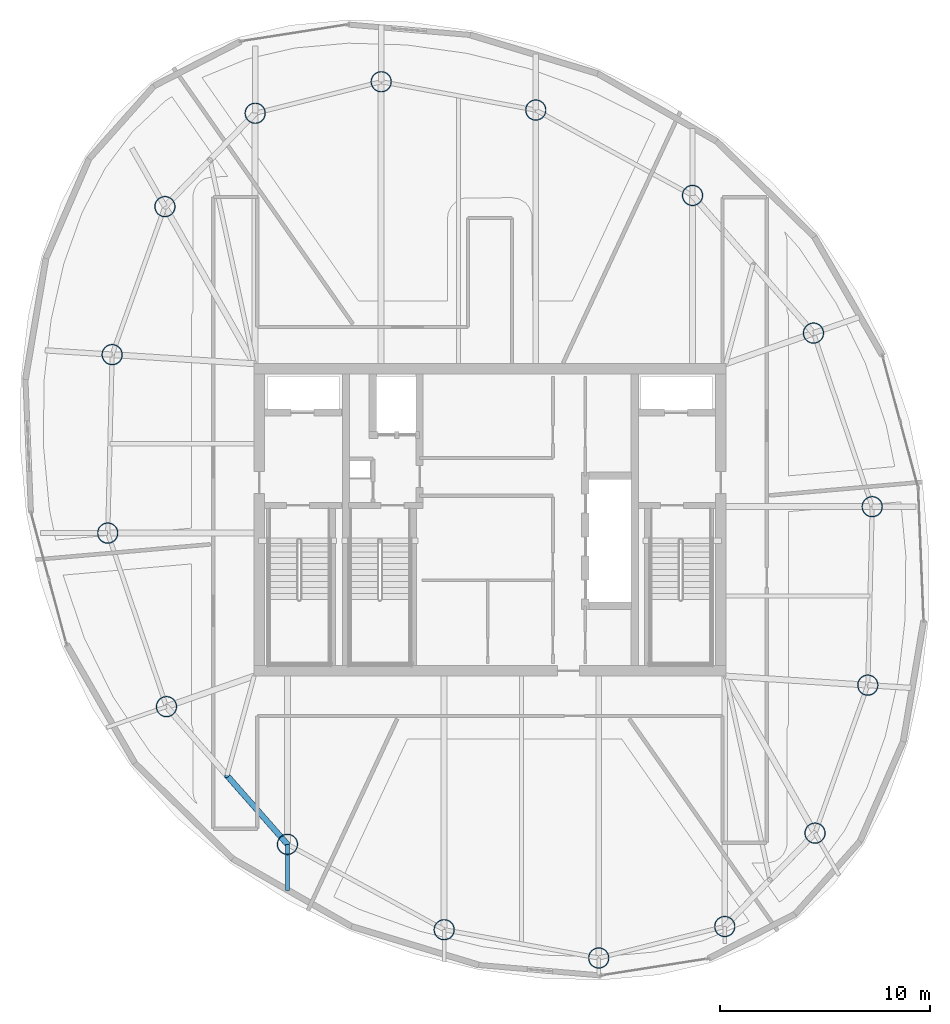
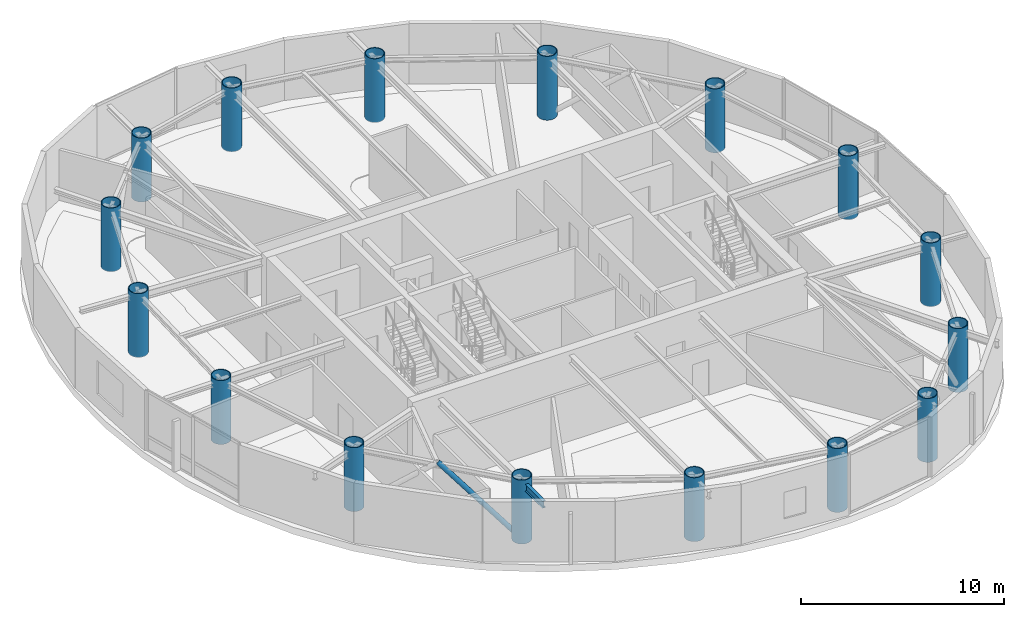
# One storey, part 1 of 20: 16 columns, 1 beam, 1 member.
"""IFC4 building model written with IfcOpenShell, lengths in metres."""

from ifc_helpers import new_model, si_unit, direction, frame, origin, origin_2d, place, context, subcontext, project, spatial, hollow_circle, i_section, extrude, material, material_profile, profile_set, type_object, element, save


model = new_model("IFC4")

# Units and contexts
model_context = context("Model", 3, precision=1e-05, world=origin(), true_north=direction((0.0, 1.0)))
body_context = subcontext(model_context, "Body", "Model", "MODEL_VIEW")
ifc_project = project(units=[si_unit("LENGTHUNIT", "METRE"), si_unit("AREAUNIT", "SQUARE_METRE"), si_unit("VOLUMEUNIT", "CUBIC_METRE"), si_unit("PLANEANGLEUNIT", "RADIAN"), si_unit("MASSUNIT", "GRAM", prefix="KILO")], contexts=[model_context])

# Site, building, storey
site_placement = place(None, origin())
site = spatial("IfcSite", under=ifc_project, at=site_placement, CompositionType="ELEMENT")
building_placement = place(site_placement, origin())
building = spatial("IfcBuilding", under=site, at=building_placement, Name="Bramvorn Convention Spire", CompositionType="ELEMENT")
storey_placement = place(building_placement, frame((0.0, 0.0, 242.050048828125)))
storey = spatial("IfcBuildingStorey", under=building, at=storey_placement, Name="L61", CompositionType="ELEMENT", Elevation=242.050048828125)

# Columns
ifc_material = material(Name="Steel CSA G40.21 Grade 350 (350W)", Category="steel")
ifc_material_profile_1 = material_profile(ifc_material, hollow_circle(Radius=0.5, WallThickness=0.044921875, at=origin_2d()))
ifc_profile_set_1 = profile_set([ifc_material_profile_1], Name="Steel CSA G40.21 Grade 350 (350W) - CFT1000X45")
column_type = type_object("IfcColumnType", Name="COL-CFT1000X45", PredefinedType="COLUMN", material=ifc_profile_set_1)
for number, where, z_axis, x_axis, name in (
    (1, (49.199951171875, 6.60107421875, 0.0), (0.0, 0.0, 1.0), (1.0, 0.0, 0.0), "L61 composite CFT mega-column MC01"),
    (2, (53.50634765625, 11.05615234375, 0.0), (0.0, 0.0, 1.0), (1.0, 0.0, 0.0), "L61 composite CFT mega-column MC02"),
    (3, (56.023681640625, 18.116455078125, 0.0), (0.0, 0.0, 1.0), (1.0, 0.0, 0.0), "L61 composite CFT mega-column MC03"),
    (4, (56.234619140625, 26.62939453125, 0.0), (0.0, 0.0, 1.0), (1.0, 0.0, 0.0), "L61 composite CFT mega-column MC04"),
    (5, (53.4326171875, 34.909912109375, 0.0), (0.0, 0.0, 1.0), (1.0, 0.0, 0.0), "L61 composite CFT mega-column MC05"),
    (6, (47.662353515625, 41.476806640625, 0.0), (0.0, 0.0, 1.0), (1.0, 0.0, 0.0), "L61 composite CFT mega-column MC06"),
    (7, (40.1845703125, 45.55078125, 0.0), (0.0, 0.0, 1.0), (1.0, 0.0, 0.0), "L61 composite CFT mega-column MC07"),
    (8, (32.8115234375, 46.90087890625, 0.0), (0.0, 0.0, 1.0), (1.0, 0.0, 0.0), "L61 composite CFT mega-column MC08"),
    (9, (26.800048828125, 45.39892578125, 0.0), (0.0, 0.0, 1.0), (1.0, 0.0, 0.0), "L61 composite CFT mega-column MC09"),
    (10, (22.49365234375, 40.94384765625, 0.0), (0.0, 0.0, 1.0), (1.0, 0.0, 0.0), "L61 composite CFT mega-column MC10"),
    (11, (19.976318359375, 33.883544921875, 0.0), (0.0, 0.0, 1.0), (1.0, 0.0, 0.0), "L61 composite CFT mega-column MC11"),
    (12, (19.765380859375, 25.37060546875, 0.0), (0.0, 0.0, 1.0), (1.0, 0.0, 0.0), "L61 composite CFT mega-column MC12"),
    (13, (22.5673828125, 17.090087890625, 0.0), (0.0, 0.0, 1.0), (1.0, 0.0, 0.0), "L61 composite CFT mega-column MC13"),
    (14, (28.337646484375, 10.523193359375, 0.0), (0.0, 0.0, 1.0), (1.0, 0.0, 0.0), "L61 composite CFT mega-column MC14"),
    (15, (35.8154296875, 6.44921875, 0.0), (0.0, 0.0, 1.0), (1.0, 0.0, 0.0), "L61 composite CFT mega-column MC15"),
    (16, (43.1884765625, 5.09912109375, 0.0), (0.0, 0.0, 1.0), (1.0, 0.0, 0.0), "L61 composite CFT mega-column MC16"),
):
    element("IfcColumn", number, at=place(storey_placement, frame(where, z_axis=z_axis, x_axis=x_axis)), inside=storey, type_object=column_type, Name=name, PredefinedType="COLUMN", context=body_context, shape_type="SweptSolid", body=[
        extrude(hollow_circle(Radius=0.5, WallThickness=0.044921875, at=origin_2d()), origin(), (0.0, 0.0, 1.0), 3.849853515625),
    ])

# Beam
ifc_material_profile_2 = material_profile(ifc_material, i_section(OverallWidth=0.180908203125, OverallDepth=0.4169921875, WebThickness=0.010986328125, FlangeThickness=0.018310546875, FilletRadius=0.01611328125, at=origin_2d()))
ifc_profile_set_2 = profile_set([ifc_material_profile_2], Name="Steel CSA G40.21 Grade 350 (350W) - W410X85")
beam_type = type_object("IfcBeamType", Name="BM-W410X85", PredefinedType="JOIST", material=ifc_profile_set_2)
beam_placement = place(storey_placement, frame((28.337646484375, 10.523193359375, 3.37646484375), z_axis=(0.0, -1.0, 0.0), x_axis=(1.0, 0.0, 0.0)))
element("IfcBeam", 17, at=beam_placement, inside=storey, type_object=beam_type, Name="L61 Sky-Garden cantilever tip girder MC14", PredefinedType="JOIST", context=body_context, shape_type="SweptSolid", body=[
    extrude(i_section(OverallWidth=0.180908203125, OverallDepth=0.4169921875, WebThickness=0.010986328125, FlangeThickness=0.018310546875, FilletRadius=0.01611328125, at=origin_2d()), origin(), (0.0, 0.0, 1.0), 2.19921875),
])

# Member
ifc_material_profile_3 = material_profile(ifc_material, hollow_circle(Radius=0.136474609375, WallThickness=0.0126953125, at=origin_2d()))
ifc_profile_set_3 = profile_set([ifc_material_profile_3], Name="Steel CSA G40.21 Grade 350 (350W) - CHS273X13")
member_type = type_object("IfcMemberType", Name="MBR-CHS273X13", PredefinedType="BRACE", material=ifc_profile_set_3)
member_placement = place(storey_placement, frame((28.337646484375, 10.523193359375, 0.0), z_axis=(-0.50809370726, 0.578215626074, 0.63836312112), x_axis=(-0.751187558161, -0.660088821648, 0.0)))
element("IfcMember", 18, at=member_placement, inside=storey, type_object=member_type, Name="L61 perimeter Gothic lancet brace 13B", PredefinedType="BRACE", context=body_context, shape_type="SweptSolid", body=[
    extrude(hollow_circle(Radius=0.136474609375, WallThickness=0.0126953125, at=origin_2d()), origin(), (0.0, 0.0, 1.0), 5.678466796875),
])

save(model, "model.ifc")
